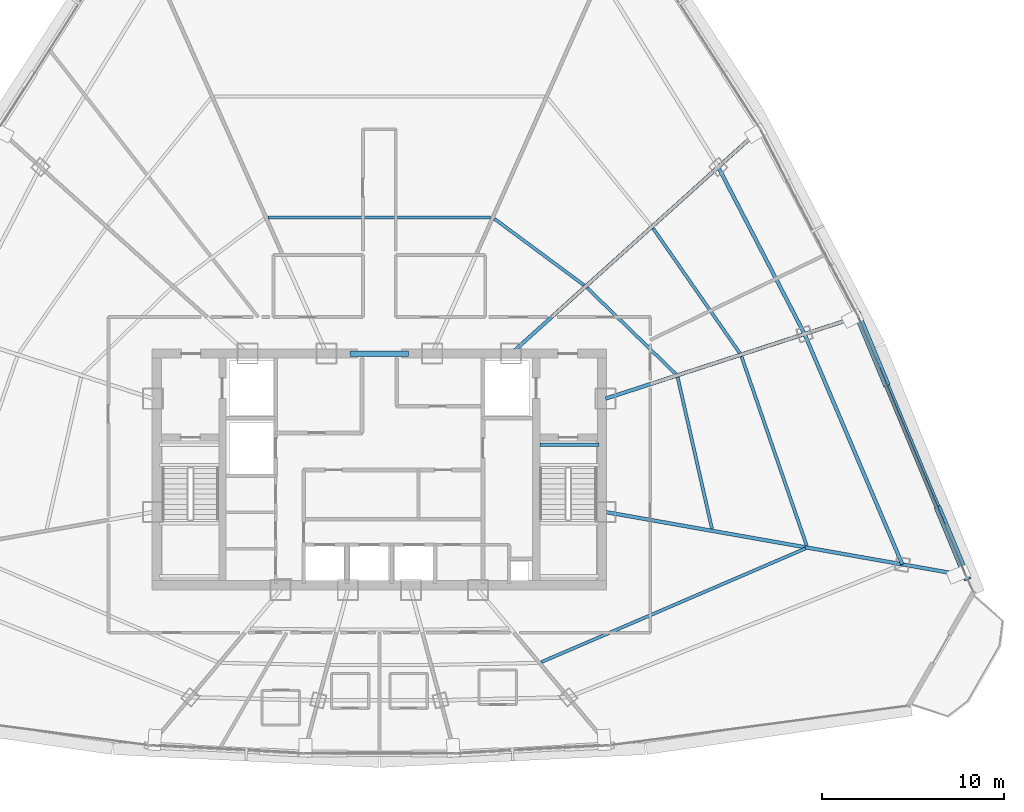
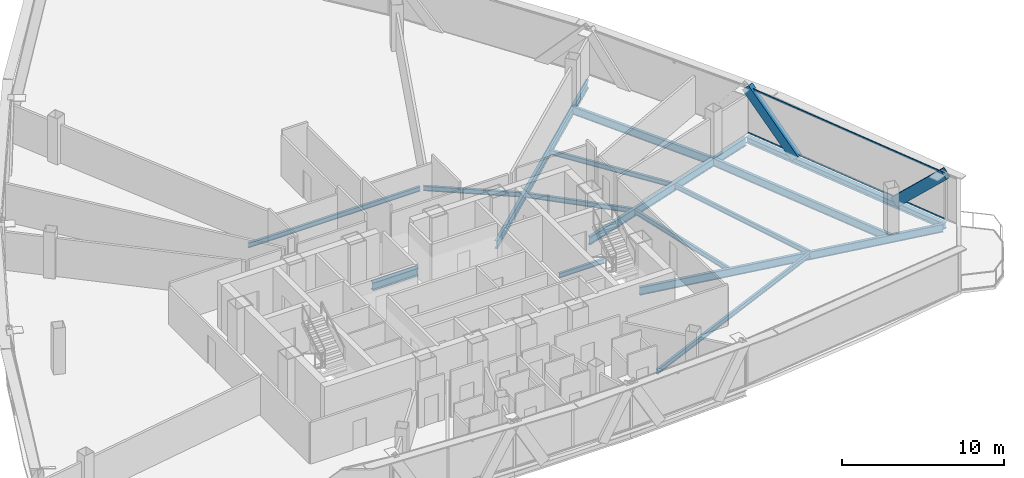
# One storey, part 16 of 39: 15 beams, 4 members, 1 element without a shape of its own.
"""IFC4 building model written with IfcOpenShell, lengths in metres."""

import ifcopenshell
import ifcopenshell.guid

model = None  # the IFC model being written
_history = None  # IfcOwnerHistory: only IFC2X3 demands one
_inside = {}  # id of a spatial element -> (the spatial element, [elements in it])
_under = {}  # id of a project, library or spatial element -> (it, [spatial elements below it])
_declared = {}  # id of a project -> (the project, [libraries it declares])
_typed = {}  # id of a type object -> (the type object, [elements of that type])
_made_of = {}  # id of a material, layer set ... -> (it, [elements and type objects made of it])


def new_model(schema):
    """Start an empty IFC model of exactly this schema.

    Asked for "IFC4X3", IfcOpenShell would pick the latest addendum, in which some entities
    have other attributes; the version numbers below select the first issue.
    IFC2X3 requires an IfcOwnerHistory on every rooted entity: one is made here for all.
    """
    global model, _history
    if schema == "IFC4X3":
        model = ifcopenshell.file(schema_version=(4, 3, 0, 0))
    else:
        model = ifcopenshell.file(schema=schema)
    _inside.clear()
    _under.clear()
    _declared.clear()
    _typed.clear()
    _made_of.clear()
    _history = None
    if model.schema == "IFC2X3":
        org = make("IfcOrganization", Name="unknown")
        user = make(
            "IfcPersonAndOrganization",
            ThePerson=make("IfcPerson", FamilyName="unknown"),
            TheOrganization=org,
        )
        app = make(
            "IfcApplication",
            ApplicationDeveloper=org,
            Version="unknown",
            ApplicationFullName="unknown",
            ApplicationIdentifier="unknown",
        )
        _history = make(
            "IfcOwnerHistory",
            OwningUser=user,
            OwningApplication=app,
            ChangeAction="ADDED",
            CreationDate=0,
        )
    return model


def make(cls, **values):
    """One entity of the class cls with the attributes given. An attribute that is None is left unset."""
    return model.create_entity(
        cls, **{name: value for name, value in values.items() if value is not None}
    )


def rooted(cls, **values):
    """An entity with a GlobalId (a new one), such as an element, a storey or a relation."""
    return make(cls, GlobalId=ifcopenshell.guid.new(), OwnerHistory=_history, **values)


def si_unit(unit_type, name, prefix=None):
    """IfcSIUnit, for example si_unit("LENGTHUNIT", "METRE", prefix="MILLI")."""
    return make("IfcSIUnit", UnitType=unit_type, Prefix=prefix, Name=name)


def assignment(units):
    """IfcUnitAssignment: the units of a project."""
    return None if units is None else make("IfcUnitAssignment", Units=units)


def point(xyz):
    """IfcCartesianPoint."""
    return None if xyz is None else make("IfcCartesianPoint", Coordinates=xyz)


def direction(xyz):
    """IfcDirection."""
    return None if xyz is None else make("IfcDirection", DirectionRatios=xyz)


def frame(location, z_axis=None, x_axis=None):
    """IfcAxis2Placement3D, a coordinate frame: its origin and axes. An axis left out is left unset."""
    return make(
        "IfcAxis2Placement3D",
        Location=point(location),
        Axis=direction(z_axis),
        RefDirection=direction(x_axis),
    )


def frame_2d(location, x_axis=None):
    """IfcAxis2Placement2D, a coordinate frame in the plane: its origin and x axis."""
    return make(
        "IfcAxis2Placement2D", Location=point(location), RefDirection=direction(x_axis)
    )


def origin():
    """The frame at (0, 0, 0) with its axes left unset."""
    return frame((0.0, 0.0, 0.0))


def origin_2d():
    """The frame at (0, 0) in the plane with its x axis left unset."""
    return frame_2d((0.0, 0.0))


def place(relative_to, where):
    """IfcLocalPlacement: puts the frame where relative to a parent placement (None: the world)."""
    return make(
        "IfcLocalPlacement", PlacementRelTo=relative_to, RelativePlacement=where
    )


def context(
    kind, dimensions, precision=None, world=None, true_north=None, identifier=None
):
    """IfcGeometricRepresentationContext, for example the 3D "Model" context."""
    return make(
        "IfcGeometricRepresentationContext",
        ContextIdentifier=identifier,
        ContextType=kind,
        CoordinateSpaceDimension=dimensions,
        Precision=precision,
        WorldCoordinateSystem=world,
        TrueNorth=true_north,
    )


def subcontext(parent, identifier, kind, view, scale=None):
    """IfcGeometricRepresentationSubContext, for example "Body" below "Model"."""
    return make(
        "IfcGeometricRepresentationSubContext",
        ContextIdentifier=identifier,
        ContextType=kind,
        ParentContext=parent,
        TargetScale=scale,
        TargetView=view,
    )


def project(units=None, contexts=None):
    """IfcProject with its units and contexts."""
    return rooted(
        "IfcProject",
        Name="project",
        RepresentationContexts=contexts,
        UnitsInContext=assignment(units),
    )


def spatial(cls, under=None, at=None, **own):
    """A site, building, storey or space (cls), placed at a placement, below another one or the project."""
    s = rooted(cls, ObjectPlacement=at, **own)
    if under is not None:
        _under.setdefault(under.id(), (under, []))[1].append(s)
    return s


def profile(cls, at=None, kind="AREA", **sizes):
    """A parametric profile (cls). Its sizes go by their IFC names, for example OverallWidth=200.0."""
    return make(cls, ProfileType=kind, Position=at, **sizes)


def hollow_rectangle(**sizes):
    """IfcRectangleHollowProfileDef."""
    return profile("IfcRectangleHollowProfileDef", **sizes)


def i_section(**sizes):
    """IfcIShapeProfileDef."""
    return profile("IfcIShapeProfileDef", **sizes)


def extrude(swept, where, along, depth):
    """IfcExtrudedAreaSolid: the profile swept, set in the frame where, extruded along a direction by depth."""
    return make(
        "IfcExtrudedAreaSolid",
        SweptArea=swept,
        Position=where,
        ExtrudedDirection=direction(along),
        Depth=depth,
    )


def shape(context_of_items, identifier, shape_type, items):
    """IfcShapeRepresentation: the items that make up one representation, for example the "Body"."""
    return make(
        "IfcShapeRepresentation",
        ContextOfItems=context_of_items,
        RepresentationIdentifier=identifier,
        RepresentationType=shape_type,
        Items=items,
    )


def source(mapping_origin, context_of_items, identifier, shape_type, items):
    """IfcRepresentationMap: a shape defined once, which mapped items show again and again."""
    return make(
        "IfcRepresentationMap",
        MappingOrigin=mapping_origin,
        MappedRepresentation=shape(context_of_items, identifier, shape_type, items),
    )


def transform(
    local_origin,
    x_axis=None,
    y_axis=None,
    z_axis=None,
    scale=None,
    scale2=None,
    scale3=None,
    uniform=True,
):
    """IfcCartesianTransformationOperator3D, or its non-uniform kind. x_axis, y_axis, z_axis: its Axis1, 2, 3."""
    if uniform:
        return make(
            "IfcCartesianTransformationOperator3D",
            Axis1=direction(x_axis),
            Axis2=direction(y_axis),
            LocalOrigin=point(local_origin),
            Scale=scale,
            Axis3=direction(z_axis),
        )
    return make(
        "IfcCartesianTransformationOperator3DnonUniform",
        Axis1=direction(x_axis),
        Axis2=direction(y_axis),
        LocalOrigin=point(local_origin),
        Scale=scale,
        Axis3=direction(z_axis),
        Scale2=scale2,
        Scale3=scale3,
    )


def mapped(mapping_source, mapping_target):
    """IfcMappedItem: shows the shape of a source again, moved by a transform."""
    return make(
        "IfcMappedItem", MappingSource=mapping_source, MappingTarget=mapping_target
    )


def material(Name=None, Category=None):
    """IfcMaterial."""
    return make("IfcMaterial", Name=Name, Category=Category)


def layer(
    of_material, thickness, ventilated=None, Name=None, Category=None, Priority=None
):
    """IfcMaterialLayer: one layer of a wall or slab, of a material (None: an air gap)."""
    return make(
        "IfcMaterialLayer",
        Material=of_material,
        LayerThickness=thickness,
        IsVentilated=ventilated,
        Name=Name,
        Category=Category,
        Priority=Priority,
    )


def layer_set(layers, Name=None):
    """IfcMaterialLayerSet."""
    return make("IfcMaterialLayerSet", MaterialLayers=layers, LayerSetName=Name)


def material_profile(
    of_material, cross_section, Name=None, Category=None, Priority=None
):
    """IfcMaterialProfile: a cross section and its material."""
    return make(
        "IfcMaterialProfile",
        Name=Name,
        Material=of_material,
        Profile=cross_section,
        Priority=Priority,
        Category=Category,
    )


def profile_set(profiles, Name=None, composite=None):
    """IfcMaterialProfileSet."""
    return make(
        "IfcMaterialProfileSet",
        Name=Name,
        MaterialProfiles=profiles,
        CompositeProfile=composite,
    )


def made_of(thing, what):
    """Note that an element or type object is made of a material, layer set ...; save() writes the relation."""
    if what is not None:
        _made_of.setdefault(what.id(), (what, []))[1].append(thing)
    return thing


def type_object(cls, material=None, **own):
    """A type object (cls), such as IfcWallType, which elements share."""
    return made_of(rooted(cls, **own), material)


def element(
    cls,
    number,
    at=None,
    inside=None,
    cuts=None,
    type_object=None,
    material=None,
    context=None,
    identifier="Body",
    shape_type=None,
    held_by="IfcProductDefinitionShape",
    body=None,
    shapes=None,
    **own,
):
    """One element of the class cls, such as IfcWall. Its Tag is "e" and its number.

    at: its placement. inside: the storey or other place that contains it. cuts: it is an
    opening in that element (IfcRelVoidsElement). A single representation is given by context,
    identifier, shape_type and body (its items); several are given by shapes. held_by: the class
    of the entity that holds the representations. save() writes the other relations.
    """
    e = rooted(cls, Tag="e%d" % number, ObjectPlacement=at, **own)
    if body is not None:
        shapes = [shape(context, identifier, shape_type, body)]
    if shapes is not None:
        e.Representation = make(held_by, Representations=shapes)
    if inside is not None:
        _inside.setdefault(inside.id(), (inside, []))[1].append(e)
    if cuts is not None:
        rooted(
            "IfcRelVoidsElement", RelatingBuildingElement=cuts, RelatedOpeningElement=e
        )
    if type_object is not None:
        _typed.setdefault(type_object.id(), (type_object, []))[1].append(e)
    return made_of(e, material)


def aggregate(whole, parts):
    """IfcRelAggregates: a whole, such as a stair, and the parts it consists of."""
    return rooted("IfcRelAggregates", RelatingObject=whole, RelatedObjects=parts)


def save(model, path):
    """Write the relations noted so far, then the file.

    IfcRelAggregates (storeys below a building ...), IfcRelContainedInSpatialStructure (elements
    in a storey), IfcRelDefinesByType, IfcRelAssociatesMaterial and IfcRelDeclares: one each for
    every whole, place, type object, material and project.
    """
    for whole, parts in _under.values():
        aggregate(whole, parts)
    for where, things in _inside.values():
        rooted(
            "IfcRelContainedInSpatialStructure",
            RelatedElements=things,
            RelatingStructure=where,
        )
    for kind, things in _typed.values():
        rooted("IfcRelDefinesByType", RelatedObjects=things, RelatingType=kind)
    for what, things in _made_of.values():
        rooted("IfcRelAssociatesMaterial", RelatedObjects=things, RelatingMaterial=what)
    for by, libraries in _declared.values():
        rooted("IfcRelDeclares", RelatingContext=by, RelatedDefinitions=libraries)
    model.write(path)


model = new_model("IFC4")

# Units and contexts
model_context = context("Model", 3, precision=1e-05, world=origin(), true_north=direction((0.0, 1.0)))
body_context = subcontext(model_context, "Body", "Model", "MODEL_VIEW")
ifc_project = project(units=[si_unit("LENGTHUNIT", "METRE"), si_unit("AREAUNIT", "SQUARE_METRE"), si_unit("VOLUMEUNIT", "CUBIC_METRE"), si_unit("PLANEANGLEUNIT", "RADIAN"), si_unit("MASSUNIT", "GRAM", prefix="KILO"), si_unit("THERMODYNAMICTEMPERATUREUNIT", "KELVIN"), si_unit("POWERUNIT", "WATT")], contexts=[model_context])

# Site, building, storey
site_placement = place(None, origin())
site = spatial("IfcSite", under=ifc_project, at=site_placement, CompositionType="ELEMENT")
building_placement = place(site_placement, origin())
building = spatial("IfcBuilding", under=site, at=building_placement, Name="Yunzhuo Pagoda Commons", CompositionType="ELEMENT")
storey_placement = place(building_placement, frame((0.0, 0.0, 285.02001953125)))
storey = spatial("IfcBuildingStorey", under=building, at=storey_placement, Name="L71", CompositionType="ELEMENT", Elevation=285.02001953125)

# Beams
ifc_material_1 = material(Name="Structural steel Q355B", Category="steel")
ifc_material_profile_1 = material_profile(ifc_material_1, i_section(OverallWidth=0.175048828125, OverallDepth=0.35009765625, WebThickness=0.007080078125, FlangeThickness=0.010986328125, at=origin_2d()), Name="Structural steel Q355B")
ifc_profile_set_1 = profile_set([ifc_material_profile_1], Name="Structural steel Q355B")
beam_type_1 = type_object("IfcBeamType", Name="B-JS2 Joist HN 350x175x7x11", PredefinedType="JOIST", material=ifc_profile_set_1)
shared_shape_1 = source(origin(), body_context, "Body", "SweptSolid", [
    extrude(i_section(OverallWidth=0.175048828125, OverallDepth=0.35009765625, WebThickness=0.007080078125, FlangeThickness=0.010986328125, at=origin_2d()), origin(), (0.0, 0.0, 1.0), 3.25),
])
beam_1_placement = place(storey_placement, frame((56.800048828125, 35.199951171875, -0.374755859375), z_axis=(1.0, 0.0, 0.0), x_axis=(0.0, 1.0, 0.0)))
element("IfcBeam", 1, at=beam_1_placement, inside=storey, type_object=beam_type_1, Name="L71 ST2 landing support beam 175B", PredefinedType="JOIST", context=body_context, shape_type="MappedRepresentation", body=[
    mapped(shared_shape_1, transform((0.0, 0.0, 0.0), scale=1.0)),
])
ifc_material_2 = material(Name="Structural steel Q420B", Category="steel")
ifc_material_profile_2 = material_profile(ifc_material_2, i_section(OverallWidth=0.300048828125, OverallDepth=0.587890625, WebThickness=0.011962890625, FlangeThickness=0.02001953125, at=origin_2d()), Name="Structural steel Q420B")
ifc_profile_set_2 = profile_set([ifc_material_profile_2], Name="Structural steel Q420B")
beam_type_2 = type_object("IfcBeamType", Name="B-CPL Beam HM 588x300x12x20", PredefinedType="BEAM", material=ifc_profile_set_2)
shared_shape_2 = source(origin(), body_context, "Body", "SweptSolid", [
    extrude(i_section(OverallWidth=0.300048828125, OverallDepth=0.587890625, WebThickness=0.011962890625, FlangeThickness=0.02001953125, at=origin_2d()), origin(), (0.0, 0.0, 1.0), 3.2001953125),
])
beam_2_placement = place(storey_placement, frame((46.39990234375, 40.199951171875, -0.5537109375), z_axis=(1.0, 0.0, 0.0), x_axis=(0.0, 1.0, 0.0)))
element("IfcBeam", 2, at=beam_2_placement, inside=storey, type_object=beam_type_2, Name="L71 core coupling girder", PredefinedType="BEAM", context=body_context, shape_type="MappedRepresentation", body=[
    mapped(shared_shape_2, transform((0.0, 0.0, 0.0), scale=1.0)),
])
ifc_material_profile_3 = material_profile(ifc_material_1, i_section(OverallWidth=0.300048828125, OverallDepth=0.43994140625, WebThickness=0.010986328125, FlangeThickness=0.01806640625, at=origin_2d()), Name="Structural steel Q355B")
ifc_profile_set_3 = profile_set([ifc_material_profile_3], Name="Structural steel Q355B")
beam_type_3 = type_object("IfcBeamType", Name="B-SP2 Beam HM 440x300x11x18", PredefinedType="BEAM", material=ifc_profile_set_3)
shared_shape_3 = source(origin(), body_context, "Body", "SweptSolid", [
    extrude(i_section(OverallWidth=0.300048828125, OverallDepth=0.43994140625, WebThickness=0.010986328125, FlangeThickness=0.01806640625, at=origin_2d()), origin(), (0.0, 0.0, 1.0), 15.37548828125),
])
beam_3_placement = place(storey_placement, frame((80.150390625, 28.031005859375, -0.47998046875), z_axis=(-0.383865486512, 0.923389023253, 0.0), x_axis=(-0.923389023253, -0.383865486512, 0.0)))
element("IfcBeam", 3, at=beam_3_placement, inside=storey, type_object=beam_type_3, Name="L71 facade edge spandrel beam F2.1", PredefinedType="BEAM", context=body_context, shape_type="MappedRepresentation", body=[
    mapped(shared_shape_3, transform((0.0, 0.0, 0.0), scale=1.0)),
])
ifc_material_profile_4 = material_profile(ifc_material_1, i_section(OverallWidth=0.199951171875, OverallDepth=0.60009765625, WebThickness=0.010986328125, FlangeThickness=0.01708984375, at=origin_2d()), Name="Structural steel Q355B")
ifc_profile_set_4 = profile_set([ifc_material_profile_4], Name="Structural steel Q355B")
beam_type_4 = type_object("IfcBeamType", Name="B-RG3 Beam HN 600x200x11x17", PredefinedType="BEAM", material=ifc_profile_set_4)
shared_shape_4 = source(origin(), body_context, "Body", "SweptSolid", [
    extrude(i_section(OverallWidth=0.199951171875, OverallDepth=0.60009765625, WebThickness=0.010986328125, FlangeThickness=0.01708984375, at=origin_2d()), origin(), (0.0, 0.0, 1.0), 19.89990234375),
])
beam_4_placement = place(storey_placement, frame((79.99755859375, 28.058349609375, -0.56005859375), z_axis=(-0.984812199238, 0.173622959981, 0.0), x_axis=(-0.173622959981, -0.984812199238, 0.0)))
element("IfcBeam", 4, at=beam_4_placement, inside=storey, type_object=beam_type_4, Name="L71 radial floor girder F2C1", PredefinedType="BEAM", context=body_context, shape_type="MappedRepresentation", body=[
    mapped(shared_shape_4, transform((0.0, 0.0, 0.0), scale=1.0)),
])
shared_shape_5 = source(origin(), body_context, "Body", "SweptSolid", [
    extrude(i_section(OverallWidth=0.199951171875, OverallDepth=0.60009765625, WebThickness=0.010986328125, FlangeThickness=0.01708984375, at=origin_2d()), origin(), (0.0, 0.0, 1.0), 14.406005859375),
])
beam_5_placement = place(storey_placement, frame((74.100830078125, 42.1806640625, -0.56005859375), z_axis=(-0.951057355196, -0.309014412492, 0.0), x_axis=(0.309014412492, -0.951057355196, 0.0)))
element("IfcBeam", 5, at=beam_5_placement, inside=storey, type_object=beam_type_4, Name="L71 radial floor girder F2C2", PredefinedType="BEAM", context=body_context, shape_type="MappedRepresentation", body=[
    mapped(shared_shape_5, transform((0.0, 0.0, 0.0), scale=1.0)),
])
shared_shape_6 = source(origin(), body_context, "Body", "SweptSolid", [
    extrude(i_section(OverallWidth=0.199951171875, OverallDepth=0.60009765625, WebThickness=0.010986328125, FlangeThickness=0.01708984375, at=origin_2d()), origin(), (0.0, 0.0, 1.0), 18.2314453125),
])
beam_6_placement = place(storey_placement, frame((68.767578125, 52.399169921875, -0.56005859375), z_axis=(-0.743144309, -0.669131179964, 0.0), x_axis=(0.669131179964, -0.743144309, 0.0)))
element("IfcBeam", 6, at=beam_6_placement, inside=storey, type_object=beam_type_4, Name="L71 radial floor girder F2C3", PredefinedType="BEAM", context=body_context, shape_type="MappedRepresentation", body=[
    mapped(shared_shape_6, transform((0.0, 0.0, 0.0), scale=1.0)),
])
shared_shape_7 = source(origin(), body_context, "Body", "SweptSolid", [
    extrude(i_section(OverallWidth=0.175048828125, OverallDepth=0.35009765625, WebThickness=0.007080078125, FlangeThickness=0.010986328125, at=origin_2d()), origin(), (0.0, 0.0, 1.0), 15.757080078125),
])
beam_7_placement = place(storey_placement, frame((56.8779296875, 23.291259765625, -0.43505859375), z_axis=(0.918592756952, 0.395205448945, 0.0), x_axis=(-0.395205448945, 0.918592756952, 0.0)))
element("IfcBeam", 7, at=beam_7_placement, inside=storey, type_object=beam_type_1, Name="L71 composite ring joist 2.4", PredefinedType="JOIST", context=body_context, shape_type="MappedRepresentation", body=[
    mapped(shared_shape_7, transform((0.0, 0.0, 0.0), scale=1.0)),
])
shared_shape_8 = source(origin(), body_context, "Body", "SweptSolid", [
    extrude(i_section(OverallWidth=0.199951171875, OverallDepth=0.60009765625, WebThickness=0.010986328125, FlangeThickness=0.01708984375, at=origin_2d()), origin(), (0.0, 0.0, 1.0), 13.715576171875),
])
beam_8_placement = place(storey_placement, frame((76.66162109375, 28.646240234375, -0.56005859375), z_axis=(-0.390733146992, 0.920503996646, 0.0), x_axis=(-0.920503996646, -0.390733146992, 0.0)))
element("IfcBeam", 8, at=beam_8_placement, inside=storey, type_object=beam_type_4, Name="L71 column-ring beam 5", PredefinedType="BEAM", context=body_context, shape_type="MappedRepresentation", body=[
    mapped(shared_shape_8, transform((0.0, 0.0, 0.0), scale=1.0)),
])
shared_shape_9 = source(origin(), body_context, "Body", "SweptSolid", [
    extrude(i_section(OverallWidth=0.175048828125, OverallDepth=0.35009765625, WebThickness=0.007080078125, FlangeThickness=0.010986328125, at=origin_2d()), origin(), (0.0, 0.0, 1.0), 8.508544921875),
])
beam_9_placement = place(storey_placement, frame((66.228759765625, 30.593505859375, -0.43505859375), z_axis=(-0.220769003385, 0.975326123481, 0.0), x_axis=(-0.975326123481, -0.220769003385, 0.0)))
element("IfcBeam", 9, at=beam_9_placement, inside=storey, type_object=beam_type_1, Name="L71 composite ring joist 1.5", PredefinedType="JOIST", context=body_context, shape_type="MappedRepresentation", body=[
    mapped(shared_shape_9, transform((0.0, 0.0, 0.0), scale=1.0)),
])
shared_shape_10 = source(origin(), body_context, "Body", "SweptSolid", [
    extrude(i_section(OverallWidth=0.175048828125, OverallDepth=0.35009765625, WebThickness=0.007080078125, FlangeThickness=0.010986328125, at=origin_2d()), origin(), (0.0, 0.0, 1.0), 10.954345703125),
])
beam_10_placement = place(storey_placement, frame((71.42041015625, 29.672607421875, -0.43505859375), z_axis=(-0.325839571137, 0.945425075763, 0.0), x_axis=(-0.945425075763, -0.325839571137, 0.0)))
element("IfcBeam", 10, at=beam_10_placement, inside=storey, type_object=beam_type_1, Name="L71 composite ring joist 2.5", PredefinedType="JOIST", context=body_context, shape_type="MappedRepresentation", body=[
    mapped(shared_shape_10, transform((0.0, 0.0, 0.0), scale=1.0)),
])
shared_shape_11 = source(origin(), body_context, "Body", "SweptSolid", [
    extrude(i_section(OverallWidth=0.199951171875, OverallDepth=0.60009765625, WebThickness=0.010986328125, FlangeThickness=0.01708984375, at=origin_2d()), origin(), (0.0, 0.0, 1.0), 10.3017578125),
])
beam_11_placement = place(storey_placement, frame((71.302490234375, 41.271484375, -0.56005859375), z_axis=(-0.459070867827, 0.888399650108, 0.0), x_axis=(-0.888399650108, -0.459070867827, 0.0)))
element("IfcBeam", 11, at=beam_11_placement, inside=storey, type_object=beam_type_4, Name="L71 column-ring beam 6", PredefinedType="BEAM", context=body_context, shape_type="MappedRepresentation", body=[
    mapped(shared_shape_11, transform((0.0, 0.0, 0.0), scale=1.0)),
])
shared_shape_12 = source(origin(), body_context, "Body", "SweptSolid", [
    extrude(i_section(OverallWidth=0.175048828125, OverallDepth=0.35009765625, WebThickness=0.007080078125, FlangeThickness=0.010986328125, at=origin_2d()), origin(), (0.0, 0.0, 1.0), 6.767333984375),
])
beam_12_placement = place(storey_placement, frame((64.242431640625, 39.08447265625, -0.43505859375), z_axis=(-0.717207253673, 0.696859925149, 0.0), x_axis=(-0.696859925149, -0.717207253673, 0.0)))
element("IfcBeam", 12, at=beam_12_placement, inside=storey, type_object=beam_type_1, Name="L71 composite ring joist 1.6", PredefinedType="JOIST", context=body_context, shape_type="MappedRepresentation", body=[
    mapped(shared_shape_12, transform((0.0, 0.0, 0.0), scale=1.0)),
])
shared_shape_13 = source(origin(), body_context, "Body", "SweptSolid", [
    extrude(i_section(OverallWidth=0.175048828125, OverallDepth=0.35009765625, WebThickness=0.007080078125, FlangeThickness=0.010986328125, at=origin_2d()), origin(), (0.0, 0.0, 1.0), 8.31103515625),
])
beam_13_placement = place(storey_placement, frame((67.748046875, 40.232421875, -0.43505859375), z_axis=(-0.570615989364, 0.821217019236, 0.0), x_axis=(-0.821217019236, -0.570615989364, 0.0)))
element("IfcBeam", 13, at=beam_13_placement, inside=storey, type_object=beam_type_1, Name="L71 composite ring joist 2.6", PredefinedType="JOIST", context=body_context, shape_type="MappedRepresentation", body=[
    mapped(shared_shape_13, transform((0.0, 0.0, 0.0), scale=1.0)),
])
shared_shape_14 = source(origin(), body_context, "Body", "SweptSolid", [
    extrude(i_section(OverallWidth=0.175048828125, OverallDepth=0.35009765625, WebThickness=0.007080078125, FlangeThickness=0.010986328125, at=origin_2d()), origin(), (0.0, 0.0, 1.0), 6.109619140625),
])
beam_14_placement = place(storey_placement, frame((59.214111328125, 43.948974609375, -0.43505859375), z_axis=(-0.803396474468, 0.595444459888, 0.0), x_axis=(-0.595444459888, -0.803396474468, 0.0)))
element("IfcBeam", 14, at=beam_14_placement, inside=storey, type_object=beam_type_1, Name="L71 composite ring joist 1.7", PredefinedType="JOIST", context=body_context, shape_type="MappedRepresentation", body=[
    mapped(shared_shape_14, transform((0.0, 0.0, 0.0), scale=1.0)),
])
shared_shape_15 = source(origin(), body_context, "Body", "SweptSolid", [
    extrude(i_section(OverallWidth=0.175048828125, OverallDepth=0.35009765625, WebThickness=0.007080078125, FlangeThickness=0.010986328125, at=origin_2d()), origin(), (0.0, 0.0, 1.0), 12.19677734375),
])
beam_15_placement = place(storey_placement, frame((54.098388671875, 47.6552734375, -0.43505859375), z_axis=(-1.0, 0.0, 0.0), x_axis=(0.0, -1.0, 0.0)))
element("IfcBeam", 15, at=beam_15_placement, inside=storey, type_object=beam_type_1, Name="L71 composite ring joist 1.8", PredefinedType="JOIST", context=body_context, shape_type="MappedRepresentation", body=[
    mapped(shared_shape_15, transform((0.0, 0.0, 0.0), scale=1.0)),
])

# Members
ifc_material_profile_5 = material_profile(ifc_material_1, hollow_rectangle(XDim=0.3798828125, YDim=0.719970703125, WallThickness=0.02001953125, at=origin_2d()), Name="Structural steel Q355B")
ifc_profile_set_5 = profile_set([ifc_material_profile_5], Name="Structural steel Q355B")
member_type_1 = type_object("IfcMemberType", Name="M-DL3 Brace BOX 720x380x20", PredefinedType="BRACE", material=ifc_profile_set_5)
shared_shape_16 = source(origin(), body_context, "Body", "SweptSolid", [
    extrude(hollow_rectangle(XDim=0.3798828125, YDim=0.719970703125, WallThickness=0.02001953125, at=origin_2d()), origin(), (0.0, 0.0, 1.0), 5.356201171875),
])
for number, where, z_axis, x_axis, name in (
    (16, (78.6748046875, 31.58056640625, -0.260009765625), (0.275488266999, -0.662694227979, 0.696378183855), (0.923390414159, 0.383862140668, 0.0), "L71 facade diamond brace F2.1L"),
    (17, (75.723876953125, 38.67919921875, -0.260009765625), (-0.275496588463, 0.662668663645, 0.696399218817), (-0.923381054941, -0.383884653739, 0.0), "L71 facade diamond brace F2.1R"),
):
    element("IfcMember", number, at=place(storey_placement, frame(where, z_axis=z_axis, x_axis=x_axis)), inside=storey, type_object=member_type_1, Name=name, PredefinedType="BRACE", context=body_context, shape_type="MappedRepresentation", body=[
        mapped(shared_shape_16, transform((0.0, 0.0, 0.0), scale=1.0)),
    ])

# Curtain wall, members
ifc_material_3 = material(Name="Anodized aluminium 6063-T6", Category="aluminium")
ifc_layer = layer(ifc_material_3, 0.139892578125)
ifc_layer_set = layer_set([ifc_layer], Name="Anodized aluminium 6063-T6")
curtain_wall_type = type_object("IfcCurtainWallType", Name="CW-HI High-Zone Ribbon Curtain Wall", PredefinedType="NOTDEFINED", material=ifc_layer_set)
curtain_wall_placement = place(storey_placement, origin())
curtain_wall = element("IfcCurtainWall", 18, at=curtain_wall_placement, inside=storey, type_object=curtain_wall_type, Name="L71 curtain wall CW-L71-F2B2", PredefinedType="NOTDEFINED")
ifc_material_profile_6 = material_profile(ifc_material_3, hollow_rectangle(XDim=0.054931640625, YDim=0.1201171875, WallThickness=0.00341796875, at=origin_2d()), Name="Anodized aluminium 6063-T6")
ifc_profile_set_6 = profile_set([ifc_material_profile_6], Name="Anodized aluminium 6063-T6")
member_type_2 = type_object("IfcMemberType", Name="CW-HI-T Transom RHS 120x55x3.5", PredefinedType="USERDEFINED", material=ifc_profile_set_6)
shared_shape_17 = source(origin(), body_context, "Body", "SweptSolid", [
    extrude(hollow_rectangle(XDim=0.054931640625, YDim=0.1201171875, WallThickness=0.00341796875, at=origin_2d()), origin(), (0.0, 0.0, 1.0), 15.25537109375),
])
member_1_placement = place(storey_placement, frame((80.127197265625, 28.08642578125, 0.027587890625), z_axis=(-0.383861857229, 0.923390531988, 0.0), x_axis=(-0.923390531988, -0.383861857229, 0.0)))
member_1 = element("IfcMember", 19, at=member_1_placement, type_object=member_type_2, Name="CW transom 1.1", ObjectType="TRANSOM", PredefinedType="USERDEFINED", context=body_context, shape_type="MappedRepresentation", body=[
    mapped(shared_shape_17, transform((0.0, 0.0, 0.0), scale=1.0)),
])
member_2_placement = place(storey_placement, frame((80.127197265625, 28.08642578125, 3.4423828125), z_axis=(-0.383861857229, 0.923390531988, 0.0), x_axis=(-0.923390531988, -0.383861857229, 0.0)))
member_2 = element("IfcMember", 20, at=member_2_placement, type_object=member_type_2, Name="CW transom 1.2", ObjectType="TRANSOM", PredefinedType="USERDEFINED", context=body_context, shape_type="MappedRepresentation", body=[
    mapped(shared_shape_17, transform((0.0, 0.0, 0.0), scale=1.0)),
])
aggregate(curtain_wall, [member_1, member_2])

save(model, "model.ifc")
